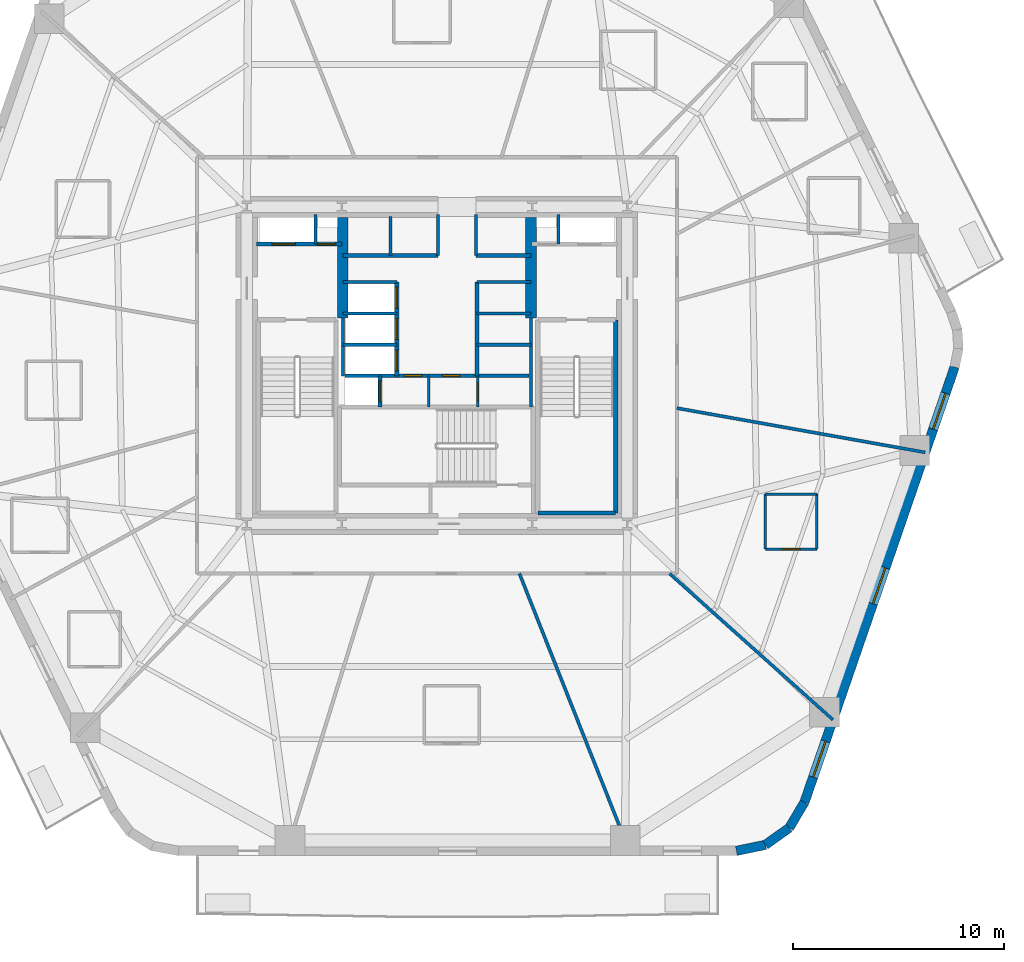
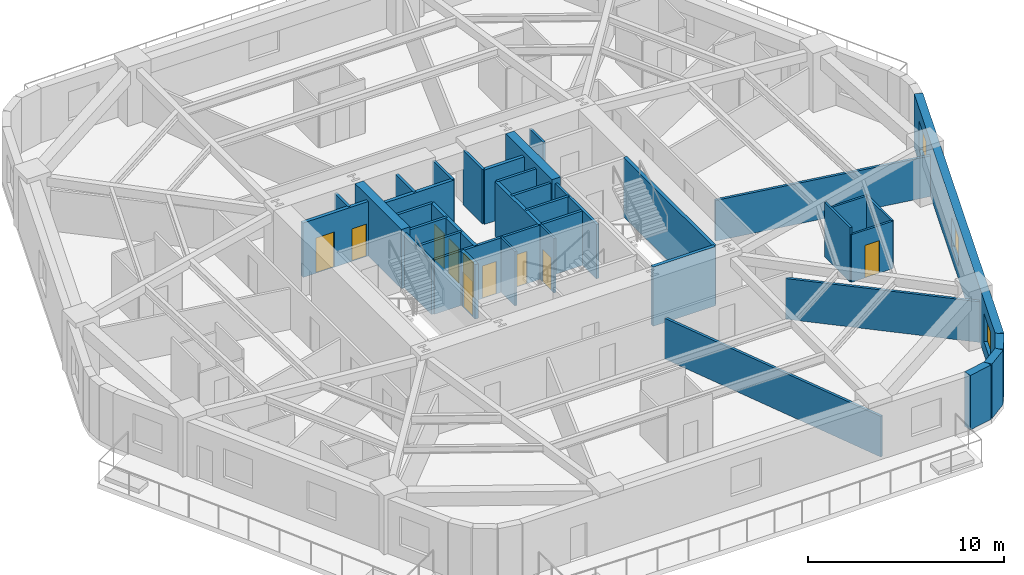
# One storey, part 4 of 10: 37 walls, 10 doors, 3 windows, 13 openings.
"""IFC4 building model written with IfcOpenShell, lengths in metres."""

from ifc_helpers import new_model, si_unit, direction, frame, frame_2d, origin, place, context, subcontext, project, spatial, rectangle, extrude, material, layer, layer_set, type_object, element, fill, save


model = new_model("IFC4")

# Units and contexts
model_context = context("Model", 3, precision=1e-05, world=origin(), true_north=direction((0.0, 1.0)))
body_context = subcontext(model_context, "Body", "Model", "MODEL_VIEW")
ifc_project = project(units=[si_unit("LENGTHUNIT", "METRE"), si_unit("AREAUNIT", "SQUARE_METRE"), si_unit("VOLUMEUNIT", "CUBIC_METRE"), si_unit("PLANEANGLEUNIT", "RADIAN"), si_unit("MASSUNIT", "GRAM", prefix="KILO")], contexts=[model_context])

# Site, building, storey
site_placement = place(None, origin())
site = spatial("IfcSite", under=ifc_project, at=site_placement, CompositionType="ELEMENT")
building_placement = place(site_placement, origin())
building = spatial("IfcBuilding", under=site, at=building_placement, Name="Kilnhurst Terrace Hotel", CompositionType="ELEMENT")
storey_placement = place(building_placement, frame((0.0, 0.0, 56.39990234375)))
storey = spatial("IfcBuildingStorey", under=building, at=storey_placement, Name="L12", CompositionType="ELEMENT", Elevation=56.39990234375)

# Walls
ifc_material_1 = material(Name="Precast concrete C40/50", Category="concrete")
ifc_layer_1 = layer(ifc_material_1, 0.449951171875, Name="Precast concrete C40/50")
ifc_layer_set_1 = layer_set([ifc_layer_1], Name="Precast concrete C40/50")
wall_type_1 = type_object("IfcWallType", Name="WL-BRK-450", PredefinedType="SOLIDWALL", material=ifc_layer_set_1)
wall_1_placement = place(storey_placement, frame((14.168212890625, -22.97509765625, 0.0), z_axis=(0.0, 0.0, 1.0), x_axis=(0.978770371074, 0.204959900243, 0.0)))
element("IfcWall", 1, at=wall_1_placement, inside=storey, type_object=wall_type_1, Name="L12 Rounded Corner Brick Wall C2.1", PredefinedType="SOLIDWALL", context=body_context, shape_type="SweptSolid", body=[
    extrude(rectangle(XDim=1.405517578125, YDim=0.449951171875, at=frame_2d((0.70263671875, 0.0))), origin(), (0.0, 0.0, 1.0), 3.400146484375),
])
wall_2_placement = place(storey_placement, frame((15.5439453125, -22.68701171875, 0.0), z_axis=(0.0, 0.0, 1.0), x_axis=(0.814210854316, 0.580569276412, 0.0)))
element("IfcWall", 2, at=wall_2_placement, inside=storey, type_object=wall_type_1, Name="L12 Rounded Corner Brick Wall C2.2", PredefinedType="SOLIDWALL", context=body_context, shape_type="SweptSolid", body=[
    extrude(rectangle(XDim=1.38134765625, YDim=0.449951171875, at=frame_2d((0.690673828125, 0.0))), origin(), (0.0, 0.0, 1.0), 3.400146484375),
])
wall_3_placement = place(storey_placement, frame((16.668701171875, -21.885009765625, 0.0), z_axis=(0.0, 0.0, 1.0), x_axis=(0.512936712947, 0.858426425799, 0.0)))
element("IfcWall", 3, at=wall_3_placement, inside=storey, type_object=wall_type_1, Name="L12 Rounded Corner Brick Wall C2.3", PredefinedType="SOLIDWALL", context=body_context, shape_type="SweptSolid", body=[
    extrude(rectangle(XDim=1.405517578125, YDim=0.449951171875, at=frame_2d((0.70263671875, 0.0))), origin(), (0.0, 0.0, 1.0), 3.400146484375),
])

# Wall, openings, windows
wall_4_placement = place(storey_placement, frame((17.3896484375, -20.678466796875, 0.0), z_axis=(0.0, 0.0, 1.0), x_axis=(0.326068018294, 0.945346310854, 0.0)))
wall_4 = element("IfcWall", 4, at=wall_4_placement, inside=storey, type_object=wall_type_1, Name="L12 Exterior Brick Facade Wall F2", PredefinedType="SOLIDWALL", context=body_context, shape_type="SweptSolid", body=[
    extrude(rectangle(XDim=21.79296875, YDim=0.449951171875, at=frame_2d((10.896484375, 0.0))), origin(), (0.0, 0.0, 1.0), 3.400146484375),
])
opening_1_placement = place(wall_4_placement, frame((1.260009765625, 0.0, 0.800048828125)))
opening_1 = element("IfcOpeningElement", 5, at=opening_1_placement, cuts=wall_4, Name="Opening W-01", PredefinedType="OPENING", context=body_context, shape_type="SweptSolid", body=[
    extrude(rectangle(XDim=1.800048828125, YDim=1.800048828125, at=frame_2d((0.89990234375, 0.89990234375))), frame((0.0, 0.23486328125, 0.0), z_axis=(0.0, -1.0, 0.0), x_axis=(1.0, 0.0, 0.0)), (0.0, 0.0, 1.0), 0.469970703125),
])
opening_2_placement = place(wall_4_placement, frame((9.943115234375, 0.0, 0.800048828125)))
opening_2 = element("IfcOpeningElement", 6, at=opening_2_placement, cuts=wall_4, Name="Opening W-01", PredefinedType="OPENING", context=body_context, shape_type="SweptSolid", body=[
    extrude(rectangle(XDim=1.800048828125, YDim=1.800048828125, at=frame_2d((0.89990234375, 0.89990234375))), frame((0.0, 0.23486328125, 0.0), z_axis=(0.0, -1.0, 0.0), x_axis=(1.0, 0.0, 0.0)), (0.0, 0.0, 1.0), 0.469970703125),
])
opening_3_placement = place(wall_4_placement, frame((18.679931640625, 0.0, 0.800048828125)))
opening_3 = element("IfcOpeningElement", 7, at=opening_3_placement, cuts=wall_4, Name="Opening W-01", PredefinedType="OPENING", context=body_context, shape_type="SweptSolid", body=[
    extrude(rectangle(XDim=1.800048828125, YDim=1.800048828125, at=frame_2d((0.89990234375, 0.89990234375))), frame((0.0, 0.23486328125, 0.0), z_axis=(0.0, -1.0, 0.0), x_axis=(1.0, 0.0, 0.0)), (0.0, 0.0, 1.0), 0.469970703125),
])
ifc_material_2 = material(Name="Thermally Broken Bronze Aluminium Alloy 6063-T6 and Low-E Glass", Category="aluminium")
window_type = type_object("IfcWindowType", Name="WIN-1800X1800", PartitioningType="SINGLE_PANEL", PredefinedType="WINDOW", material=ifc_material_2)
window_1_placement = place(opening_1_placement, origin())
window_1 = element("IfcWindow", 8, at=window_1_placement, inside=storey, type_object=window_type, Name="L12 Deep-Set Masonry Window F2.1", OverallHeight=1.800048828125, OverallWidth=1.800048828125, PartitioningType="SINGLE_PANEL", PredefinedType="WINDOW", context=body_context, shape_type="SweptSolid", body=[
    extrude(rectangle(XDim=1.800048828125, YDim=1.800048828125, at=frame_2d((0.89990234375, 0.89990234375))), frame((0.0, 0.030029296875, 0.0), z_axis=(0.0, -1.0, 0.0), x_axis=(1.0, 0.0, 0.0)), (0.0, 0.0, 1.0), 0.06005859375),
])
fill(opening_1, window_1)
window_2_placement = place(opening_2_placement, origin())
window_2 = element("IfcWindow", 9, at=window_2_placement, inside=storey, type_object=window_type, Name="L12 Deep-Set Masonry Window F2.2", OverallHeight=1.800048828125, OverallWidth=1.800048828125, PartitioningType="SINGLE_PANEL", PredefinedType="WINDOW", context=body_context, shape_type="SweptSolid", body=[
    extrude(rectangle(XDim=1.800048828125, YDim=1.800048828125, at=frame_2d((0.89990234375, 0.89990234375))), frame((0.0, 0.030029296875, 0.0), z_axis=(0.0, -1.0, 0.0), x_axis=(1.0, 0.0, 0.0)), (0.0, 0.0, 1.0), 0.06005859375),
])
fill(opening_2, window_2)
window_3_placement = place(opening_3_placement, origin())
window_3 = element("IfcWindow", 10, at=window_3_placement, inside=storey, type_object=window_type, Name="L12 Deep-Set Masonry Window F2.3", OverallHeight=1.800048828125, OverallWidth=1.800048828125, PartitioningType="SINGLE_PANEL", PredefinedType="WINDOW", context=body_context, shape_type="SweptSolid", body=[
    extrude(rectangle(XDim=1.800048828125, YDim=1.800048828125, at=frame_2d((0.89990234375, 0.89990234375))), frame((0.0, 0.030029296875, 0.0), z_axis=(0.0, -1.0, 0.0), x_axis=(1.0, 0.0, 0.0)), (0.0, 0.0, 1.0), 0.06005859375),
])
fill(opening_3, window_3)

# Walls
ifc_material_3 = material(Name="Concrete C60/75", Category="concrete")
ifc_layer_2 = layer(ifc_material_3, 0.5, Name="Concrete C60/75")
ifc_layer_set_2 = layer_set([ifc_layer_2], Name="Concrete C60/75")
wall_type_2 = type_object("IfcWallType", Name="WL-CORE-WEB-500", PredefinedType="SHEAR", material=ifc_layer_set_2)
for number, where, z_axis, x_axis, name in (
    (11, (-4.449951171875, 2.25, 0.0), (0.0, 0.0, 1.0), (0.0, 1.0, 0.0), "L12 Core Internal West Shear Web"),
    (12, (4.449951171875, 2.25, 0.0), (0.0, 0.0, 1.0), (0.0, 1.0, 0.0), "L12 Core Internal East Shear Web"),
):
    element("IfcWall", number, at=place(storey_placement, frame(where, z_axis=z_axis, x_axis=x_axis)), inside=storey, type_object=wall_type_2, Name=name, PredefinedType="SHEAR", context=body_context, shape_type="SweptSolid", body=[
        extrude(rectangle(XDim=4.75, YDim=0.5, at=frame_2d((2.375, 0.0))), origin(), (0.0, 0.0, 1.0), 3.7001953125),
    ])
ifc_material_4 = material(Name="STC-58 Acoustic Twin-Frame Guestroom Demising Partition")
ifc_layer_3 = layer(ifc_material_4, 0.14990234375, Name="STC-58 Acoustic Twin-Frame Guestroom Demising Partition")
ifc_layer_set_3 = layer_set([ifc_layer_3], Name="STC-58 Acoustic Twin-Frame Guestroom Demising Partition")
wall_type_3 = type_object("IfcWallType", Name="WL-DEM-150", PredefinedType="PARTITIONING", material=ifc_layer_set_3)
wall_5_placement = place(storey_placement, frame((3.90185546875, -9.85009765625, 0.0), z_axis=(0.0, 0.0, 1.0), x_axis=(0.36828765711, -0.929711891728, 0.0)))
element("IfcWall", 13, at=wall_5_placement, inside=storey, type_object=wall_type_3, Name="L12 Interior Wall WL-L12-DEM-COL10-12-1", PredefinedType="PARTITIONING", context=body_context, shape_type="SweptSolid", body=[
    extrude(rectangle(XDim=14.1171875, YDim=0.14990234375, at=frame_2d((7.05859375, 0.0))), origin(), (0.0, 0.0, 1.0), 2.5400390625),
])
wall_6_placement = place(storey_placement, frame((11.006591796875, -9.85009765625, 0.0), z_axis=(0.0, 0.0, 1.0), x_axis=(0.745177305978, -0.666866390407, 0.0)))
element("IfcWall", 14, at=wall_6_placement, inside=storey, type_object=wall_type_3, Name="L12 Interior Wall WL-L12-DEM-COL11-13-1", PredefinedType="PARTITIONING", context=body_context, shape_type="SweptSolid", body=[
    extrude(rectangle(XDim=10.375244140625, YDim=0.14990234375, at=frame_2d((5.1875, 0.0))), origin(), (0.0, 0.0, 1.0), 2.5400390625),
])
wall_7_placement = place(storey_placement, frame((11.35009765625, -2.022705078125, 0.0), z_axis=(0.0, 0.0, 1.0), x_axis=(0.984493741877, -0.17541970301, 0.0)))
element("IfcWall", 15, at=wall_7_placement, inside=storey, type_object=wall_type_3, Name="L12 Interior Wall WL-L12-DEM-COL12-14-1", PredefinedType="PARTITIONING", context=body_context, shape_type="SweptSolid", body=[
    extrude(rectangle(XDim=11.93701171875, YDim=0.14990234375, at=frame_2d((5.968505859375, 0.0))), origin(), (0.0, 0.0, 1.0), 2.5400390625),
])
ifc_material_5 = material(Name="120 mm Moisture-Resistant Tile-Backed Bathroom Partition")
ifc_layer_4 = layer(ifc_material_5, 0.1201171875, Name="120 mm Moisture-Resistant Tile-Backed Bathroom Partition")
ifc_layer_set_4 = layer_set([ifc_layer_4], Name="120 mm Moisture-Resistant Tile-Backed Bathroom Partition")
wall_type_4 = type_object("IfcWallType", Name="WL-PART-120", PredefinedType="PARTITIONING", material=ifc_layer_set_4)
wall_8_placement = place(storey_placement, frame((-0.3798828125, -1.971923828125, 0.0), z_axis=(0.0, 0.0, 1.0), x_axis=(0.0, 1.0, 0.0)))
element("IfcWall", 16, at=wall_8_placement, inside=storey, type_object=wall_type_4, Name="L12 Interior Wall WL-L12-BOH-C1", PredefinedType="PARTITIONING", context=body_context, shape_type="SweptSolid", body=[
    extrude(rectangle(XDim=1.471923828125, YDim=0.1201171875, at=frame_2d((0.73583984375, 0.0))), origin(), (0.0, 0.0, 1.0), 3.400146484375),
])

# Wall, opening, door
wall_9_placement = place(storey_placement, frame((1.919921875, -1.971923828125, 0.0), z_axis=(0.0, 0.0, 1.0), x_axis=(0.0, 1.0, 0.0)))
wall_9 = element("IfcWall", 17, at=wall_9_placement, inside=storey, type_object=wall_type_4, Name="L12 Interior Wall WL-L12-BOH-C2", PredefinedType="PARTITIONING", context=body_context, shape_type="SweptSolid", body=[
    extrude(rectangle(XDim=1.471923828125, YDim=0.1201171875, at=frame_2d((0.73583984375, 0.0))), origin(), (0.0, 0.0, 1.0), 3.400146484375),
])
opening_4_placement = place(wall_9_placement, frame((0.300048828125, 0.0, 0.0)))
opening_4 = element("IfcOpeningElement", 18, at=opening_4_placement, cuts=wall_9, Name="Opening D-08A", PredefinedType="OPENING", context=body_context, shape_type="SweptSolid", body=[
    extrude(rectangle(XDim=0.85009765625, YDim=2.030029296875, at=frame_2d((0.425048828125, 1.01513671875))), frame((0.0, 0.070068359375, 0.0), z_axis=(0.0, -1.0, 0.0), x_axis=(1.0, 0.0, 0.0)), (0.0, 0.0, 1.0), 0.14013671875),
])
ifc_material_6 = material(Name="Moisture-Resistant Lacquered En-suite Bathroom Door")
door_type_1 = type_object("IfcDoorType", Name="DR-INT-850", OperationType="NOTDEFINED", PredefinedType="DOOR", material=ifc_material_6)
door_1_placement = place(opening_4_placement, origin())
door_1 = element("IfcDoor", 19, at=door_1_placement, inside=storey, type_object=door_type_1, Name="L12 Staff Restroom Door", OperationType="SINGLE_SWING_RIGHT", OverallHeight=2.030029296875, OverallWidth=0.85009765625, PredefinedType="DOOR", context=body_context, shape_type="SweptSolid", body=[
    extrude(rectangle(XDim=0.85009765625, YDim=2.030029296875, at=frame_2d((0.425048828125, 1.01513671875))), frame((0.0, 0.02490234375, 0.0), z_axis=(0.0, -1.0, 0.0), x_axis=(1.0, 0.0, 0.0)), (0.0, 0.0, 1.0), 0.050048828125),
])
fill(opening_4, door_1)

wall_10_placement = place(storey_placement, frame((15.535888671875, -8.697998046875, 0.0), z_axis=(0.0, 0.0, 1.0), x_axis=(1.0, 0.0, 0.0)))
wall_10 = element("IfcWall", 20, at=wall_10_placement, inside=storey, type_object=wall_type_4, Name="L12 Interior Wall WL-L12-BTH-13-1", PredefinedType="PARTITIONING", context=body_context, shape_type="SweptSolid", body=[
    extrude(rectangle(XDim=2.440185546875, YDim=0.1201171875, at=frame_2d((1.22021484375, 0.0))), origin(), (0.0, 0.0, 1.0), 2.972412109375),
])
opening_5_placement = place(wall_10_placement, frame((0.794921875, 0.0, 0.0)))
opening_5 = element("IfcOpeningElement", 21, at=opening_5_placement, cuts=wall_10, Name="Opening D-08A", PredefinedType="OPENING", context=body_context, shape_type="SweptSolid", body=[
    extrude(rectangle(XDim=0.85009765625, YDim=2.030029296875, at=frame_2d((0.425048828125, 1.01513671875))), frame((0.0, 0.070068359375, 0.0), z_axis=(0.0, -1.0, 0.0), x_axis=(1.0, 0.0, 0.0)), (0.0, 0.0, 1.0), 0.14013671875),
])
door_2_placement = place(opening_5_placement, origin())
door_2 = element("IfcDoor", 22, at=door_2_placement, inside=storey, type_object=door_type_1, Name="L12 En-suite Bathroom Door 13", OperationType="SINGLE_SWING_RIGHT", OverallHeight=2.030029296875, OverallWidth=0.85009765625, PredefinedType="DOOR", context=body_context, shape_type="SweptSolid", body=[
    extrude(rectangle(XDim=0.85009765625, YDim=2.030029296875, at=frame_2d((0.425048828125, 1.01513671875))), frame((0.0, 0.02490234375, 0.0), z_axis=(0.0, -1.0, 0.0), x_axis=(1.0, 0.0, 0.0)), (0.0, 0.0, 1.0), 0.050048828125),
])
fill(opening_5, door_2)

# Walls
wall_11_placement = place(storey_placement, frame((17.97607421875, -8.697998046875, 0.0), z_axis=(0.0, 0.0, 1.0), x_axis=(0.0, 1.0, 0.0)))
element("IfcWall", 23, at=wall_11_placement, inside=storey, type_object=wall_type_4, Name="L12 Interior Wall WL-L12-BTH-13-2", PredefinedType="PARTITIONING", context=body_context, shape_type="SweptSolid", body=[
    extrude(rectangle(XDim=2.610107421875, YDim=0.1201171875, at=frame_2d((1.30517578125, 0.0))), origin(), (0.0, 0.0, 1.0), 2.972412109375),
])
wall_12_placement = place(storey_placement, frame((17.97607421875, -6.087890625, 0.0), z_axis=(0.0, 0.0, 1.0), x_axis=(-1.0, 0.0, 0.0)))
element("IfcWall", 24, at=wall_12_placement, inside=storey, type_object=wall_type_4, Name="L12 Interior Wall WL-L12-BTH-13-3", PredefinedType="PARTITIONING", context=body_context, shape_type="SweptSolid", body=[
    extrude(rectangle(XDim=2.440185546875, YDim=0.1201171875, at=frame_2d((1.22021484375, 0.0))), origin(), (0.0, 0.0, 1.0), 2.972412109375),
])
wall_13_placement = place(storey_placement, frame((15.535888671875, -6.087890625, 0.0), z_axis=(0.0, 0.0, 1.0), x_axis=(0.0, -1.0, 0.0)))
element("IfcWall", 25, at=wall_13_placement, inside=storey, type_object=wall_type_4, Name="L12 Interior Wall WL-L12-BTH-13-4", PredefinedType="PARTITIONING", context=body_context, shape_type="SweptSolid", body=[
    extrude(rectangle(XDim=2.610107421875, YDim=0.1201171875, at=frame_2d((1.30517578125, 0.0))), origin(), (0.0, 0.0, 1.0), 3.400146484375),
])
ifc_material_7 = material(Name="Fire-Rated Gypsum Shaftliner Assembly")
ifc_layer_5 = layer(ifc_material_7, 0.14990234375, Name="Fire-Rated Gypsum Shaftliner Assembly")
ifc_layer_set_5 = layer_set([ifc_layer_5], Name="Fire-Rated Gypsum Shaftliner Assembly")
wall_type_5 = type_object("IfcWallType", Name="WL-SHAFT-150", PredefinedType="PARTITIONING", material=ifc_layer_set_5)
for number, where, z_axis, x_axis, name in (
    (26, (-5.75, 5.739990234375, 0.0), (0.0, 0.0, 1.0), (0.0, 1.0, 0.0), "L12 Interior Wall WL-L12-RIS1-DIV"),
    (27, (5.75, 5.739990234375, 0.0), (0.0, 0.0, 1.0), (0.0, 1.0, 0.0), "L12 Interior Wall WL-L12-RIS2-DIV"),
):
    element("IfcWall", number, at=place(storey_placement, frame(where, z_axis=z_axis, x_axis=x_axis)), inside=storey, type_object=wall_type_5, Name=name, PredefinedType="PARTITIONING", context=body_context, shape_type="SweptSolid", body=[
        extrude(rectangle(XDim=1.409912109375, YDim=0.14990234375, at=frame_2d((0.705078125, 0.0))), origin(), (0.0, 0.0, 1.0), 3.400146484375),
    ])
wall_14_placement = place(storey_placement, frame((-2.199951171875, 5.199951171875, 0.0), z_axis=(0.0, 0.0, 1.0), x_axis=(0.0, 1.0, 0.0)))
element("IfcWall", 28, at=wall_14_placement, inside=storey, type_object=wall_type_5, Name="L12 Interior Wall WL-L12-HR-DIV1", PredefinedType="PARTITIONING", context=body_context, shape_type="SweptSolid", body=[
    extrude(rectangle(XDim=1.85009765625, YDim=0.14990234375, at=frame_2d((0.925048828125, 0.0))), origin(), (0.0, 0.0, 1.0), 3.400146484375),
])
for number, where, z_axis, x_axis, name in (
    (29, (0.050048828125, 5.199951171875, 0.0), (0.0, 0.0, 1.0), (0.0, 1.0, 0.0), "L12 Interior Wall WL-L12-HR-PORTAL-W"),
    (30, (1.85009765625, 5.199951171875, 0.0), (0.0, 0.0, 1.0), (0.0, 1.0, 0.0), "L12 Interior Wall WL-L12-HR-PORTAL-E"),
):
    element("IfcWall", number, at=place(storey_placement, frame(where, z_axis=z_axis, x_axis=x_axis)), inside=storey, type_object=wall_type_5, Name=name, PredefinedType="PARTITIONING", context=body_context, shape_type="SweptSolid", body=[
        extrude(rectangle(XDim=1.949951171875, YDim=0.14990234375, at=frame_2d((0.97509765625, 0.0))), origin(), (0.0, 0.0, 1.0), 3.400146484375),
    ])
wall_15_placement = place(storey_placement, frame((-4.449951171875, -0.5, 0.0), z_axis=(0.0, 0.0, 1.0), x_axis=(0.0, 1.0, 0.0)))
element("IfcWall", 31, at=wall_15_placement, inside=storey, type_object=wall_type_5, Name="L12 Interior Wall WL-L12-XLOB-W", PredefinedType="PARTITIONING", context=body_context, shape_type="SweptSolid", body=[
    extrude(rectangle(XDim=2.75, YDim=0.14990234375, at=frame_2d((1.375, 0.0))), origin(), (0.0, 0.0, 1.0), 3.400146484375),
])
wall_16_placement = place(storey_placement, frame((4.449951171875, -1.971923828125, 0.0), z_axis=(0.0, 0.0, 1.0), x_axis=(0.0, 1.0, 0.0)))
element("IfcWall", 32, at=wall_16_placement, inside=storey, type_object=wall_type_5, Name="L12 Interior Wall WL-L12-XLOB-E", PredefinedType="PARTITIONING", context=body_context, shape_type="SweptSolid", body=[
    extrude(rectangle(XDim=4.221923828125, YDim=0.14990234375, at=frame_2d((2.11083984375, 0.0))), origin(), (0.0, 0.0, 1.0), 3.400146484375),
])
for number, where, z_axis, x_axis, name in (
    (33, (-4.449951171875, 3.93994140625, 0.0), (0.0, 0.0, 1.0), (1.0, 0.0, 0.0), "L12 Interior Wall WL-L12-LR-NORTH"),
    (34, (-4.449951171875, 0.97998046875, 0.0), (0.0, 0.0, 1.0), (1.0, 0.0, 0.0), "L12 Interior Wall WL-L12-LR-D1"),
    (35, (-4.449951171875, 2.4599609375, 0.0), (0.0, 0.0, 1.0), (1.0, 0.0, 0.0), "L12 Interior Wall WL-L12-LR-D2"),
    (36, (1.89990234375, 3.93994140625, 0.0), (0.0, 0.0, 1.0), (1.0, 0.0, 0.0), "L12 Interior Wall WL-L12-MR-NORTH"),
    (37, (1.89990234375, 0.97998046875, 0.0), (0.0, 0.0, 1.0), (1.0, 0.0, 0.0), "L12 Interior Wall WL-L12-MR-D1"),
    (38, (1.89990234375, 2.4599609375, 0.0), (0.0, 0.0, 1.0), (1.0, 0.0, 0.0), "L12 Interior Wall WL-L12-MR-D2"),
):
    element("IfcWall", number, at=place(storey_placement, frame(where, z_axis=z_axis, x_axis=x_axis)), inside=storey, type_object=wall_type_5, Name=name, PredefinedType="PARTITIONING", context=body_context, shape_type="SweptSolid", body=[
        extrude(rectangle(XDim=2.550048828125, YDim=0.14990234375, at=frame_2d((1.27490234375, 0.0))), origin(), (0.0, 0.0, 1.0), 3.400146484375),
    ])

# Wall, openings, doors
wall_17_placement = place(storey_placement, frame((-4.360107421875, -0.489990234375, 0.0), z_axis=(0.0, 0.0, 1.0), x_axis=(1.0, 0.0, 0.0)))
wall_17 = element("IfcWall", 39, at=wall_17_placement, inside=storey, type_object=wall_type_5, Name="L12 Interior Wall WL-L12-BOH-N", PredefinedType="PARTITIONING", context=body_context, shape_type="SweptSolid", body=[
    extrude(rectangle(XDim=8.72021484375, YDim=0.14990234375, at=frame_2d((4.360107421875, 0.0))), origin(), (0.0, 0.0, 1.0), 3.400146484375),
])
opening_6_placement = place(wall_17_placement, frame((2.81005859375, 0.0, 0.0)))
opening_6 = element("IfcOpeningElement", 40, at=opening_6_placement, cuts=wall_17, Name="Opening D-60D", PredefinedType="OPENING", context=body_context, shape_type="SweptSolid", body=[
    extrude(rectangle(XDim=0.85009765625, YDim=2.030029296875, at=frame_2d((0.425048828125, 1.01513671875))), frame((0.0, 0.0849609375, 0.0), z_axis=(0.0, -1.0, 0.0), x_axis=(1.0, 0.0, 0.0)), (0.0, 0.0, 1.0), 0.169921875),
])
opening_7_placement = place(wall_17_placement, frame((4.610107421875, 0.0, 0.0)))
opening_7 = element("IfcOpeningElement", 41, at=opening_7_placement, cuts=wall_17, Name="Opening D-60D", PredefinedType="OPENING", context=body_context, shape_type="SweptSolid", body=[
    extrude(rectangle(XDim=0.85009765625, YDim=2.030029296875, at=frame_2d((0.425048828125, 1.01513671875))), frame((0.0, 0.0849609375, 0.0), z_axis=(0.0, -1.0, 0.0), x_axis=(1.0, 0.0, 0.0)), (0.0, 0.0, 1.0), 0.169921875),
])
ifc_material_8 = material(Name="Painted Hollow Metal Steel ASTM A36 Riser Door", Category="steel")
door_type_2 = type_object("IfcDoorType", Name="DR-FD60-850", OperationType="NOTDEFINED", PredefinedType="DOOR", material=ifc_material_8)
door_3_placement = place(opening_6_placement, origin())
door_3 = element("IfcDoor", 42, at=door_3_placement, inside=storey, type_object=door_type_2, Name="L12 Housekeeping Station Door", OperationType="SINGLE_SWING_LEFT", OverallHeight=2.030029296875, OverallWidth=0.85009765625, PredefinedType="DOOR", context=body_context, shape_type="SweptSolid", body=[
    extrude(rectangle(XDim=0.85009765625, YDim=2.030029296875, at=frame_2d((0.425048828125, 1.01513671875))), frame((0.0, 0.02490234375, 0.0), z_axis=(0.0, -1.0, 0.0), x_axis=(1.0, 0.0, 0.0)), (0.0, 0.0, 1.0), 0.050048828125),
])
fill(opening_6, door_3)
door_4_placement = place(opening_7_placement, origin())
door_4 = element("IfcDoor", 43, at=door_4_placement, inside=storey, type_object=door_type_2, Name="L12 Beverage Pantry Door", OperationType="SINGLE_SWING_RIGHT", OverallHeight=2.030029296875, OverallWidth=0.85009765625, PredefinedType="DOOR", context=body_context, shape_type="SweptSolid", body=[
    extrude(rectangle(XDim=0.85009765625, YDim=2.030029296875, at=frame_2d((0.425048828125, 1.01513671875))), frame((0.0, 0.02490234375, 0.0), z_axis=(0.0, -1.0, 0.0), x_axis=(1.0, 0.0, 0.0)), (0.0, 0.0, 1.0), 0.050048828125),
])
fill(opening_7, door_4)

ifc_material_9 = material(Name="Autoclaved Aerated Concrete C30/37 and Gypsum Shaft Assembly", Category="concrete")
ifc_layer_6 = layer(ifc_material_9, 0.199951171875, Name="Autoclaved Aerated Concrete C30/37 and Gypsum Shaft Assembly")
ifc_layer_set_6 = layer_set([ifc_layer_6], Name="Autoclaved Aerated Concrete C30/37 and Gypsum Shaft Assembly")
wall_type_6 = type_object("IfcWallType", Name="WL-SHAFT-200", PredefinedType="PARTITIONING", material=ifc_layer_set_6)
wall_18_placement = place(storey_placement, frame((-8.550048828125, 5.739990234375, 0.0), z_axis=(0.0, 0.0, 1.0), x_axis=(1.0, 0.0, 0.0)))
wall_18 = element("IfcWall", 44, at=wall_18_placement, inside=storey, type_object=wall_type_6, Name="L12 Interior Wall WL-L12-FSAE1-S", PredefinedType="PARTITIONING", context=body_context, shape_type="SweptSolid", body=[
    extrude(rectangle(XDim=4.050048828125, YDim=0.199951171875, at=frame_2d((2.02490234375, 0.0))), origin(), (0.0, 0.0, 1.0), 3.400146484375),
])
opening_8_placement = place(wall_18_placement, frame((0.75, 0.0, 0.0)))
opening_8 = element("IfcOpeningElement", 45, at=opening_8_placement, cuts=wall_18, Name="Opening LD-F1", PredefinedType="OPENING", context=body_context, shape_type="SweptSolid", body=[
    extrude(rectangle(XDim=1.10009765625, YDim=2.199951171875, at=frame_2d((0.550048828125, 1.10009765625))), frame((0.0, 0.10986328125, 0.0), z_axis=(0.0, -1.0, 0.0), x_axis=(1.0, 0.0, 0.0)), (0.0, 0.0, 1.0), 0.219970703125),
])
opening_9_placement = place(wall_18_placement, frame((2.89990234375, 0.0, 0.0)))
opening_9 = element("IfcOpeningElement", 46, at=opening_9_placement, cuts=wall_18, Name="Opening D-60D", PredefinedType="OPENING", context=body_context, shape_type="SweptSolid", body=[
    extrude(rectangle(XDim=0.85009765625, YDim=2.030029296875, at=frame_2d((0.425048828125, 1.01513671875))), frame((0.0, 0.10986328125, 0.0), z_axis=(0.0, -1.0, 0.0), x_axis=(1.0, 0.0, 0.0)), (0.0, 0.0, 1.0), 0.219970703125),
])
door_5_placement = place(opening_9_placement, origin())
door_5 = element("IfcDoor", 47, at=door_5_placement, inside=storey, type_object=door_type_2, Name="L12 Electrical Riser Door", OperationType="SINGLE_SWING_LEFT", OverallHeight=2.030029296875, OverallWidth=0.85009765625, PredefinedType="DOOR", context=body_context, shape_type="SweptSolid", body=[
    extrude(rectangle(XDim=0.85009765625, YDim=2.030029296875, at=frame_2d((0.425048828125, 1.01513671875))), frame((0.0, 0.02490234375, 0.0), z_axis=(0.0, -1.0, 0.0), x_axis=(1.0, 0.0, 0.0)), (0.0, 0.0, 1.0), 0.050048828125),
])
fill(opening_9, door_5)
ifc_material_10 = material(Name="Bronze-Anodized Stainless Steel AISI 316L Sliding Door", Category="steel")
door_type_3 = type_object("IfcDoorType", Name="DR-LIFT-1100", OperationType="NOTDEFINED", PredefinedType="DOOR", material=ifc_material_10)
door_6_placement = place(opening_8_placement, origin())
door_6 = element("IfcDoor", 48, at=door_6_placement, inside=storey, type_object=door_type_3, Name="L12 FSAE-1 Landing Door", OperationType="SLIDING_TO_LEFT", OverallHeight=2.199951171875, OverallWidth=1.10009765625, PredefinedType="DOOR", context=body_context, shape_type="SweptSolid", body=[
    extrude(rectangle(XDim=1.10009765625, YDim=2.199951171875, at=frame_2d((0.550048828125, 1.10009765625))), frame((0.0, 0.02490234375, 0.0), z_axis=(0.0, -1.0, 0.0), x_axis=(1.0, 0.0, 0.0)), (0.0, 0.0, 1.0), 0.050048828125),
])
fill(opening_8, door_6)

# Wall, opening, door
wall_19_placement = place(storey_placement, frame((-2.699951171875, -1.971923828125, 0.0), z_axis=(0.0, 0.0, 1.0), x_axis=(0.0, 1.0, 0.0)))
wall_19 = element("IfcWall", 49, at=wall_19_placement, inside=storey, type_object=wall_type_6, Name="L12 Interior Wall WL-L12-SRV1-E", PredefinedType="PARTITIONING", context=body_context, shape_type="SweptSolid", body=[
    extrude(rectangle(XDim=1.471923828125, YDim=0.199951171875, at=frame_2d((0.73583984375, 0.0))), origin(), (0.0, 0.0, 1.0), 3.400146484375),
])
opening_10_placement = place(wall_19_placement, frame((0.239990234375, 0.0, 0.0)))
opening_10 = element("IfcOpeningElement", 50, at=opening_10_placement, cuts=wall_19, Name="Opening LD-SV", PredefinedType="OPENING", context=body_context, shape_type="SweptSolid", body=[
    extrude(rectangle(XDim=1.0, YDim=2.199951171875, at=frame_2d((0.5, 1.10009765625))), frame((0.0, 0.10986328125, 0.0), z_axis=(0.0, -1.0, 0.0), x_axis=(1.0, 0.0, 0.0)), (0.0, 0.0, 1.0), 0.219970703125),
])
door_type_4 = type_object("IfcDoorType", Name="DR-LIFT-1000", OperationType="NOTDEFINED", PredefinedType="DOOR", material=ifc_material_10)
door_7_placement = place(opening_10_placement, origin())
door_7 = element("IfcDoor", 51, at=door_7_placement, inside=storey, type_object=door_type_4, Name="L12 Service Lift SRV-1 Landing Door", OperationType="SLIDING_TO_LEFT", OverallHeight=2.199951171875, OverallWidth=1.0, PredefinedType="DOOR", context=body_context, shape_type="SweptSolid", body=[
    extrude(rectangle(XDim=1.0, YDim=2.199951171875, at=frame_2d((0.5, 1.10009765625))), frame((0.0, 0.02490234375, 0.0), z_axis=(0.0, -1.0, 0.0), x_axis=(1.0, 0.0, 0.0)), (0.0, 0.0, 1.0), 0.050048828125),
])
fill(opening_10, door_7)

# Walls
wall_20_placement = place(storey_placement, frame((-4.449951171875, 5.199951171875, 0.0), z_axis=(0.0, 0.0, 1.0), x_axis=(1.0, 0.0, 0.0)))
element("IfcWall", 52, at=wall_20_placement, inside=storey, type_object=wall_type_6, Name="L12 Interior Wall WL-L12-HR-SW", PredefinedType="PARTITIONING", context=body_context, shape_type="SweptSolid", body=[
    extrude(rectangle(XDim=4.5, YDim=0.199951171875, at=frame_2d((2.25, 0.0))), origin(), (0.0, 0.0, 1.0), 3.400146484375),
])
wall_21_placement = place(storey_placement, frame((1.85009765625, 5.199951171875, 0.0), z_axis=(0.0, 0.0, 1.0), x_axis=(1.0, 0.0, 0.0)))
element("IfcWall", 53, at=wall_21_placement, inside=storey, type_object=wall_type_6, Name="L12 Interior Wall WL-L12-HR-SE", PredefinedType="PARTITIONING", context=body_context, shape_type="SweptSolid", body=[
    extrude(rectangle(XDim=2.599853515625, YDim=0.199951171875, at=frame_2d((1.2998046875, 0.0))), origin(), (0.0, 0.0, 1.0), 3.400146484375),
])

# Wall, openings, doors
wall_22_placement = place(storey_placement, frame((-1.89990234375, -0.5, 0.0), z_axis=(0.0, 0.0, 1.0), x_axis=(0.0, 1.0, 0.0)))
wall_22 = element("IfcWall", 54, at=wall_22_placement, inside=storey, type_object=wall_type_6, Name="L12 Interior Wall WL-L12-LR-FRONT", PredefinedType="PARTITIONING", context=body_context, shape_type="SweptSolid", body=[
    extrude(rectangle(XDim=4.43994140625, YDim=0.199951171875, at=frame_2d((2.219970703125, 0.0))), origin(), (0.0, 0.0, 1.0), 3.400146484375),
])
opening_11_placement = place(wall_22_placement, frame((0.239990234375, 0.0, 0.0)))
opening_11 = element("IfcOpeningElement", 55, at=opening_11_placement, cuts=wall_22, Name="Opening LD-LR", PredefinedType="OPENING", context=body_context, shape_type="SweptSolid", body=[
    extrude(rectangle(XDim=1.0, YDim=2.199951171875, at=frame_2d((0.5, 1.10009765625))), frame((0.0, 0.10986328125, 0.0), z_axis=(0.0, -1.0, 0.0), x_axis=(1.0, 0.0, 0.0)), (0.0, 0.0, 1.0), 0.219970703125),
])
opening_12_placement = place(wall_22_placement, frame((1.719970703125, 0.0, 0.0)))
opening_12 = element("IfcOpeningElement", 56, at=opening_12_placement, cuts=wall_22, Name="Opening LD-LR", PredefinedType="OPENING", context=body_context, shape_type="SweptSolid", body=[
    extrude(rectangle(XDim=1.0, YDim=2.199951171875, at=frame_2d((0.5, 1.10009765625))), frame((0.0, 0.10986328125, 0.0), z_axis=(0.0, -1.0, 0.0), x_axis=(1.0, 0.0, 0.0)), (0.0, 0.0, 1.0), 0.219970703125),
])
opening_13_placement = place(wall_22_placement, frame((3.199951171875, 0.0, 0.0)))
opening_13 = element("IfcOpeningElement", 57, at=opening_13_placement, cuts=wall_22, Name="Opening LD-LR", PredefinedType="OPENING", context=body_context, shape_type="SweptSolid", body=[
    extrude(rectangle(XDim=1.0, YDim=2.199951171875, at=frame_2d((0.5, 1.10009765625))), frame((0.0, 0.10986328125, 0.0), z_axis=(0.0, -1.0, 0.0), x_axis=(1.0, 0.0, 0.0)), (0.0, 0.0, 1.0), 0.219970703125),
])
door_8_placement = place(opening_11_placement, origin())
door_8 = element("IfcDoor", 58, at=door_8_placement, inside=storey, type_object=door_type_4, Name="L12 Low Rise Lift LR-1 Landing Door", OperationType="SLIDING_TO_LEFT", OverallHeight=2.199951171875, OverallWidth=1.0, PredefinedType="DOOR", context=body_context, shape_type="SweptSolid", body=[
    extrude(rectangle(XDim=1.0, YDim=2.199951171875, at=frame_2d((0.5, 1.10009765625))), frame((0.0, 0.02490234375, 0.0), z_axis=(0.0, -1.0, 0.0), x_axis=(1.0, 0.0, 0.0)), (0.0, 0.0, 1.0), 0.050048828125),
])
fill(opening_11, door_8)
door_9_placement = place(opening_12_placement, origin())
door_9 = element("IfcDoor", 59, at=door_9_placement, inside=storey, type_object=door_type_4, Name="L12 Low Rise Lift LR-2 Landing Door", OperationType="SLIDING_TO_LEFT", OverallHeight=2.199951171875, OverallWidth=1.0, PredefinedType="DOOR", context=body_context, shape_type="SweptSolid", body=[
    extrude(rectangle(XDim=1.0, YDim=2.199951171875, at=frame_2d((0.5, 1.10009765625))), frame((0.0, 0.02490234375, 0.0), z_axis=(0.0, -1.0, 0.0), x_axis=(1.0, 0.0, 0.0)), (0.0, 0.0, 1.0), 0.050048828125),
])
fill(opening_12, door_9)
door_10_placement = place(opening_13_placement, origin())
door_10 = element("IfcDoor", 60, at=door_10_placement, inside=storey, type_object=door_type_4, Name="L12 Low Rise Lift LR-3 Landing Door", OperationType="SLIDING_TO_LEFT", OverallHeight=2.199951171875, OverallWidth=1.0, PredefinedType="DOOR", context=body_context, shape_type="SweptSolid", body=[
    extrude(rectangle(XDim=1.0, YDim=2.199951171875, at=frame_2d((0.5, 1.10009765625))), frame((0.0, 0.02490234375, 0.0), z_axis=(0.0, -1.0, 0.0), x_axis=(1.0, 0.0, 0.0)), (0.0, 0.0, 1.0), 0.050048828125),
])
fill(opening_13, door_10)

# Walls
wall_23_placement = place(storey_placement, frame((1.89990234375, -0.5, 0.0), z_axis=(0.0, 0.0, 1.0), x_axis=(0.0, 1.0, 0.0)))
element("IfcWall", 61, at=wall_23_placement, inside=storey, type_object=wall_type_6, Name="L12 Interior Wall WL-L12-MR-FRONT", PredefinedType="PARTITIONING", context=body_context, shape_type="SweptSolid", body=[
    extrude(rectangle(XDim=4.43994140625, YDim=0.199951171875, at=frame_2d((2.219970703125, 0.0))), origin(), (0.0, 0.0, 1.0), 3.400146484375),
])
ifc_material_11 = material(Name="Concrete C50/60", Category="concrete")
ifc_layer_7 = layer(ifc_material_11, 0.199951171875, Name="Concrete C50/60")
ifc_layer_set_7 = layer_set([ifc_layer_7], Name="Concrete C50/60")
wall_type_7 = type_object("IfcWallType", Name="WL-STAIR-RC-200", PredefinedType="SHEAR", material=ifc_layer_set_7)
wall_24_placement = place(storey_placement, frame((8.4580078125, -6.985107421875, 0.0), z_axis=(0.0, 0.0, 1.0), x_axis=(0.0, 1.0, 0.0)))
element("IfcWall", 62, at=wall_24_placement, inside=storey, type_object=wall_type_7, Name="L12 Structural Stair Shaft Wall WL-L12-ST2-E", PredefinedType="SHEAR", context=body_context, shape_type="SweptSolid", body=[
    extrude(rectangle(XDim=9.14306640625, YDim=0.199951171875, at=frame_2d((4.571533203125, 0.0))), origin(), (0.0, 0.0, 1.0), 3.7001953125),
])
wall_25_placement = place(storey_placement, frame((4.77197265625, -6.985107421875, 0.0), z_axis=(0.0, 0.0, 1.0), x_axis=(1.0, 0.0, 0.0)))
element("IfcWall", 63, at=wall_25_placement, inside=storey, type_object=wall_type_7, Name="L12 Structural Stair Shaft Wall WL-L12-ST2-S", PredefinedType="SHEAR", context=body_context, shape_type="SweptSolid", body=[
    extrude(rectangle(XDim=3.68603515625, YDim=0.199951171875, at=frame_2d((1.843017578125, 0.0))), origin(), (0.0, 0.0, 1.0), 3.7001953125),
])

save(model, "model.ifc")
